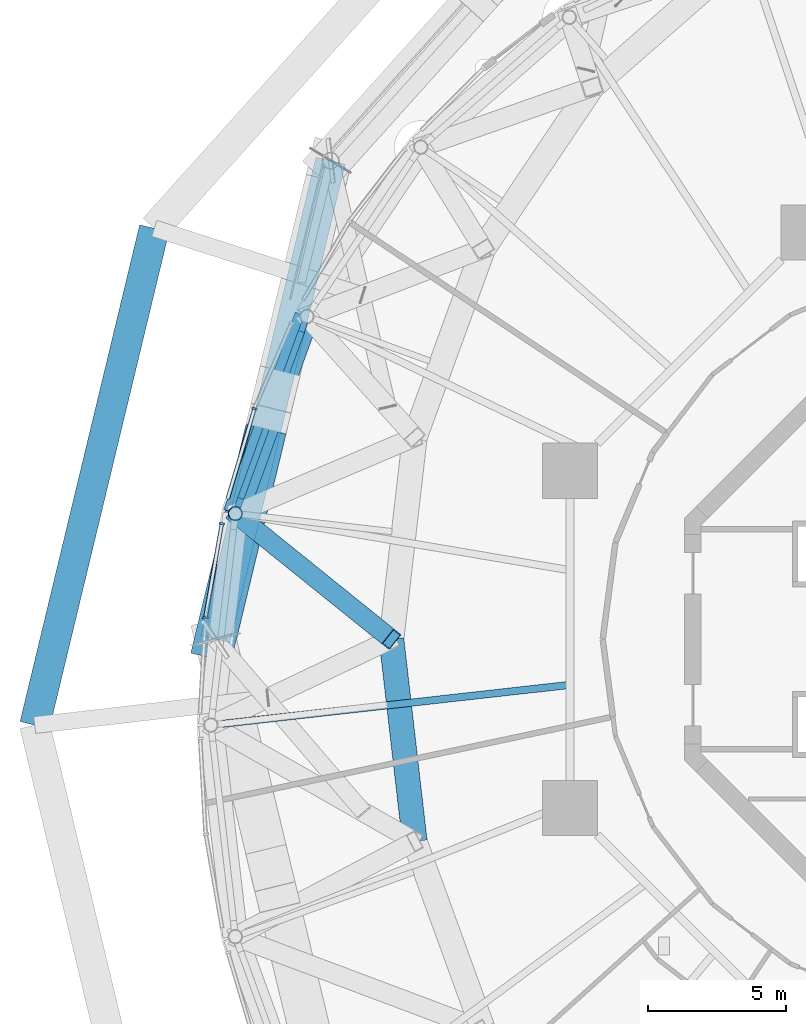
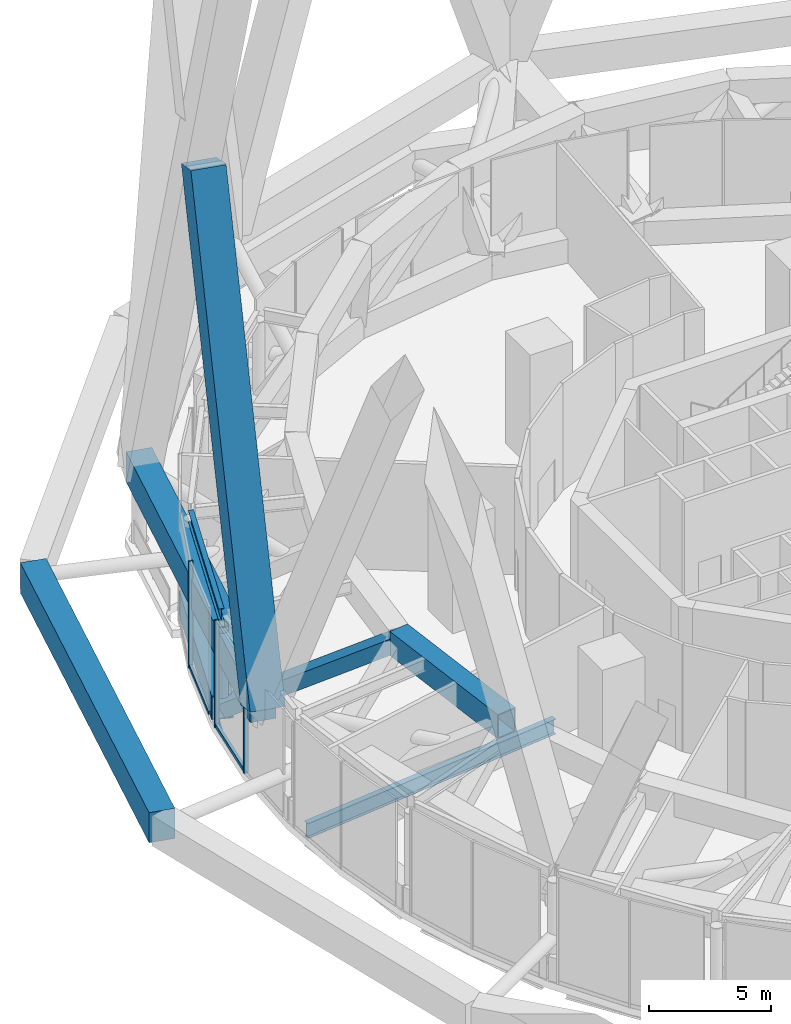
# One storey, part 25 of 49: 9 members, 6 beams, 3 elements without a shape of their own.
"""IFC4 building model written with IfcOpenShell, lengths in metres."""

import ifcopenshell
import ifcopenshell.guid

model = None  # the IFC model being written
_history = None  # IfcOwnerHistory: only IFC2X3 demands one
_inside = {}  # id of a spatial element -> (the spatial element, [elements in it])
_under = {}  # id of a project, library or spatial element -> (it, [spatial elements below it])
_declared = {}  # id of a project -> (the project, [libraries it declares])
_typed = {}  # id of a type object -> (the type object, [elements of that type])
_made_of = {}  # id of a material, layer set ... -> (it, [elements and type objects made of it])


def new_model(schema):
    """Start an empty IFC model of exactly this schema.

    Asked for "IFC4X3", IfcOpenShell would pick the latest addendum, in which some entities
    have other attributes; the version numbers below select the first issue.
    IFC2X3 requires an IfcOwnerHistory on every rooted entity: one is made here for all.
    """
    global model, _history
    if schema == "IFC4X3":
        model = ifcopenshell.file(schema_version=(4, 3, 0, 0))
    else:
        model = ifcopenshell.file(schema=schema)
    _inside.clear()
    _under.clear()
    _declared.clear()
    _typed.clear()
    _made_of.clear()
    _history = None
    if model.schema == "IFC2X3":
        org = make("IfcOrganization", Name="unknown")
        user = make(
            "IfcPersonAndOrganization",
            ThePerson=make("IfcPerson", FamilyName="unknown"),
            TheOrganization=org,
        )
        app = make(
            "IfcApplication",
            ApplicationDeveloper=org,
            Version="unknown",
            ApplicationFullName="unknown",
            ApplicationIdentifier="unknown",
        )
        _history = make(
            "IfcOwnerHistory",
            OwningUser=user,
            OwningApplication=app,
            ChangeAction="ADDED",
            CreationDate=0,
        )
    return model


def make(cls, **values):
    """One entity of the class cls with the attributes given. An attribute that is None is left unset."""
    return model.create_entity(
        cls, **{name: value for name, value in values.items() if value is not None}
    )


def rooted(cls, **values):
    """An entity with a GlobalId (a new one), such as an element, a storey or a relation."""
    return make(cls, GlobalId=ifcopenshell.guid.new(), OwnerHistory=_history, **values)


def si_unit(unit_type, name, prefix=None):
    """IfcSIUnit, for example si_unit("LENGTHUNIT", "METRE", prefix="MILLI")."""
    return make("IfcSIUnit", UnitType=unit_type, Prefix=prefix, Name=name)


def assignment(units):
    """IfcUnitAssignment: the units of a project."""
    return None if units is None else make("IfcUnitAssignment", Units=units)


def point(xyz):
    """IfcCartesianPoint."""
    return None if xyz is None else make("IfcCartesianPoint", Coordinates=xyz)


def direction(xyz):
    """IfcDirection."""
    return None if xyz is None else make("IfcDirection", DirectionRatios=xyz)


def frame(location, z_axis=None, x_axis=None):
    """IfcAxis2Placement3D, a coordinate frame: its origin and axes. An axis left out is left unset."""
    return make(
        "IfcAxis2Placement3D",
        Location=point(location),
        Axis=direction(z_axis),
        RefDirection=direction(x_axis),
    )


def frame_2d(location, x_axis=None):
    """IfcAxis2Placement2D, a coordinate frame in the plane: its origin and x axis."""
    return make(
        "IfcAxis2Placement2D", Location=point(location), RefDirection=direction(x_axis)
    )


def origin():
    """The frame at (0, 0, 0) with its axes left unset."""
    return frame((0.0, 0.0, 0.0))


def origin_2d():
    """The frame at (0, 0) in the plane with its x axis left unset."""
    return frame_2d((0.0, 0.0))


def place(relative_to, where):
    """IfcLocalPlacement: puts the frame where relative to a parent placement (None: the world)."""
    return make(
        "IfcLocalPlacement", PlacementRelTo=relative_to, RelativePlacement=where
    )


def context(
    kind, dimensions, precision=None, world=None, true_north=None, identifier=None
):
    """IfcGeometricRepresentationContext, for example the 3D "Model" context."""
    return make(
        "IfcGeometricRepresentationContext",
        ContextIdentifier=identifier,
        ContextType=kind,
        CoordinateSpaceDimension=dimensions,
        Precision=precision,
        WorldCoordinateSystem=world,
        TrueNorth=true_north,
    )


def subcontext(parent, identifier, kind, view, scale=None):
    """IfcGeometricRepresentationSubContext, for example "Body" below "Model"."""
    return make(
        "IfcGeometricRepresentationSubContext",
        ContextIdentifier=identifier,
        ContextType=kind,
        ParentContext=parent,
        TargetScale=scale,
        TargetView=view,
    )


def project(units=None, contexts=None):
    """IfcProject with its units and contexts."""
    return rooted(
        "IfcProject",
        Name="project",
        RepresentationContexts=contexts,
        UnitsInContext=assignment(units),
    )


def spatial(cls, under=None, at=None, **own):
    """A site, building, storey or space (cls), placed at a placement, below another one or the project."""
    s = rooted(cls, ObjectPlacement=at, **own)
    if under is not None:
        _under.setdefault(under.id(), (under, []))[1].append(s)
    return s


def profile(cls, at=None, kind="AREA", **sizes):
    """A parametric profile (cls). Its sizes go by their IFC names, for example OverallWidth=200.0."""
    return make(cls, ProfileType=kind, Position=at, **sizes)


def rectangle(**sizes):
    """IfcRectangleProfileDef."""
    return profile("IfcRectangleProfileDef", **sizes)


def hollow_rectangle(**sizes):
    """IfcRectangleHollowProfileDef."""
    return profile("IfcRectangleHollowProfileDef", **sizes)


def hollow_circle(**sizes):
    """IfcCircleHollowProfileDef."""
    return profile("IfcCircleHollowProfileDef", **sizes)


def i_section(**sizes):
    """IfcIShapeProfileDef."""
    return profile("IfcIShapeProfileDef", **sizes)


def extrude(swept, where, along, depth):
    """IfcExtrudedAreaSolid: the profile swept, set in the frame where, extruded along a direction by depth."""
    return make(
        "IfcExtrudedAreaSolid",
        SweptArea=swept,
        Position=where,
        ExtrudedDirection=direction(along),
        Depth=depth,
    )


def shape(context_of_items, identifier, shape_type, items):
    """IfcShapeRepresentation: the items that make up one representation, for example the "Body"."""
    return make(
        "IfcShapeRepresentation",
        ContextOfItems=context_of_items,
        RepresentationIdentifier=identifier,
        RepresentationType=shape_type,
        Items=items,
    )


def material(Name=None, Category=None):
    """IfcMaterial."""
    return make("IfcMaterial", Name=Name, Category=Category)


def layer(
    of_material, thickness, ventilated=None, Name=None, Category=None, Priority=None
):
    """IfcMaterialLayer: one layer of a wall or slab, of a material (None: an air gap)."""
    return make(
        "IfcMaterialLayer",
        Material=of_material,
        LayerThickness=thickness,
        IsVentilated=ventilated,
        Name=Name,
        Category=Category,
        Priority=Priority,
    )


def layer_set(layers, Name=None):
    """IfcMaterialLayerSet."""
    return make("IfcMaterialLayerSet", MaterialLayers=layers, LayerSetName=Name)


def material_profile(
    of_material, cross_section, Name=None, Category=None, Priority=None
):
    """IfcMaterialProfile: a cross section and its material."""
    return make(
        "IfcMaterialProfile",
        Name=Name,
        Material=of_material,
        Profile=cross_section,
        Priority=Priority,
        Category=Category,
    )


def profile_set(profiles, Name=None, composite=None):
    """IfcMaterialProfileSet."""
    return make(
        "IfcMaterialProfileSet",
        Name=Name,
        MaterialProfiles=profiles,
        CompositeProfile=composite,
    )


def made_of(thing, what):
    """Note that an element or type object is made of a material, layer set ...; save() writes the relation."""
    if what is not None:
        _made_of.setdefault(what.id(), (what, []))[1].append(thing)
    return thing


def type_object(cls, material=None, **own):
    """A type object (cls), such as IfcWallType, which elements share."""
    return made_of(rooted(cls, **own), material)


def element(
    cls,
    number,
    at=None,
    inside=None,
    cuts=None,
    type_object=None,
    material=None,
    context=None,
    identifier="Body",
    shape_type=None,
    held_by="IfcProductDefinitionShape",
    body=None,
    shapes=None,
    **own,
):
    """One element of the class cls, such as IfcWall. Its Tag is "e" and its number.

    at: its placement. inside: the storey or other place that contains it. cuts: it is an
    opening in that element (IfcRelVoidsElement). A single representation is given by context,
    identifier, shape_type and body (its items); several are given by shapes. held_by: the class
    of the entity that holds the representations. save() writes the other relations.
    """
    e = rooted(cls, Tag="e%d" % number, ObjectPlacement=at, **own)
    if body is not None:
        shapes = [shape(context, identifier, shape_type, body)]
    if shapes is not None:
        e.Representation = make(held_by, Representations=shapes)
    if inside is not None:
        _inside.setdefault(inside.id(), (inside, []))[1].append(e)
    if cuts is not None:
        rooted(
            "IfcRelVoidsElement", RelatingBuildingElement=cuts, RelatedOpeningElement=e
        )
    if type_object is not None:
        _typed.setdefault(type_object.id(), (type_object, []))[1].append(e)
    return made_of(e, material)


def aggregate(whole, parts):
    """IfcRelAggregates: a whole, such as a stair, and the parts it consists of."""
    return rooted("IfcRelAggregates", RelatingObject=whole, RelatedObjects=parts)


def save(model, path):
    """Write the relations noted so far, then the file.

    IfcRelAggregates (storeys below a building ...), IfcRelContainedInSpatialStructure (elements
    in a storey), IfcRelDefinesByType, IfcRelAssociatesMaterial and IfcRelDeclares: one each for
    every whole, place, type object, material and project.
    """
    for whole, parts in _under.values():
        aggregate(whole, parts)
    for where, things in _inside.values():
        rooted(
            "IfcRelContainedInSpatialStructure",
            RelatedElements=things,
            RelatingStructure=where,
        )
    for kind, things in _typed.values():
        rooted("IfcRelDefinesByType", RelatedObjects=things, RelatingType=kind)
    for what, things in _made_of.values():
        rooted("IfcRelAssociatesMaterial", RelatedObjects=things, RelatingMaterial=what)
    for by, libraries in _declared.values():
        rooted("IfcRelDeclares", RelatingContext=by, RelatedDefinitions=libraries)
    model.write(path)


model = new_model("IFC4")

# Units and contexts
model_context = context("Model", 3, precision=1e-05, world=origin(), true_north=direction((0.0, 1.0)))
body_context = subcontext(model_context, "Body", "Model", "MODEL_VIEW")
ifc_project = project(units=[si_unit("LENGTHUNIT", "METRE"), si_unit("AREAUNIT", "SQUARE_METRE"), si_unit("VOLUMEUNIT", "CUBIC_METRE"), si_unit("PLANEANGLEUNIT", "RADIAN"), si_unit("MASSUNIT", "GRAM", prefix="KILO")], contexts=[model_context])

# Site, building, storey
site_placement = place(None, origin())
site = spatial("IfcSite", under=ifc_project, at=site_placement, CompositionType="ELEMENT")
building_placement = place(site_placement, origin())
building = spatial("IfcBuilding", under=site, at=building_placement, Name="Nagisa Residences", CompositionType="ELEMENT")
storey_placement = place(building_placement, frame((0.0, 0.0, 160.300048828125)))
storey = spatial("IfcBuildingStorey", under=building, at=storey_placement, Name="L40", CompositionType="ELEMENT", Elevation=160.300048828125)

# Beams
ifc_material_1 = material(Name="Steel ASTM A572 Gr 50", Category="steel")
ifc_material_profile_1 = material_profile(ifc_material_1, hollow_rectangle(XDim=0.89990234375, YDim=1.199951171875, WallThickness=0.044921875, at=origin_2d()), Name="BX 900x1200x45")
ifc_profile_set_1 = profile_set([ifc_material_profile_1], Name="Steel ASTM A572 Gr 50")
beam_type_1 = type_object("IfcBeamType", Name="Belt chord 3 BX 900x1200x45", PredefinedType="BEAM", material=ifc_profile_set_1)
beam_1_placement = place(storey_placement, frame((-24.346923828125, 11.729736328125, 0.599853515625), z_axis=(-0.341367428201, -0.939929933008, 0.0), x_axis=(0.939929933008, -0.341367428201, 0.0)))
element("IfcBeam", 1, at=beam_1_placement, inside=storey, type_object=beam_type_1, Name="beam:L40:bt3b11", PredefinedType="BEAM", context=body_context, shape_type="SweptSolid", body=[
    extrude(hollow_rectangle(XDim=0.89990234375, YDim=1.199951171875, WallThickness=0.044921875, at=origin_2d()), origin(), (0.0, 0.0, 1.0), 7.61962890625),
])
beam_2_placement = place(storey_placement, frame((-21.27490234375, 0.0, 4.739990234375), z_axis=(0.114627868433, -0.993408501966, 0.0), x_axis=(0.993408501966, 0.114627868433, 0.0)))
element("IfcBeam", 2, at=beam_2_placement, inside=storey, type_object=beam_type_1, Name="beam:L40:bt3t13", PredefinedType="BEAM", context=body_context, shape_type="SweptSolid", body=[
    extrude(hollow_rectangle(XDim=0.89990234375, YDim=1.199951171875, WallThickness=0.044921875, at=origin_2d()), origin(), (0.0, 0.0, 1.0), 7.392822265625),
])
ifc_material_2 = material(Name="Steel ASTM A572 Gr 50", Category="steel")
ifc_material_profile_2 = material_profile(ifc_material_2, hollow_rectangle(XDim=0.699951171875, YDim=0.699951171875, WallThickness=0.0400390625, at=origin_2d()), Name="BX 700x700x40")
ifc_profile_set_2 = profile_set([ifc_material_profile_2], Name="Steel ASTM A572 Gr 50")
beam_type_2 = type_object("IfcBeamType", Name="Belt diagonal 3 BX 700x700x40", PredefinedType="BEAM", material=ifc_profile_set_2)
beam_3_placement = place(storey_placement, frame((-26.947998046875, 4.56787109375, 0.599853515625), z_axis=(0.677145335215, -0.545224823423, 0.494170099177), x_axis=(0.627152778856, 0.77889626522, 0.0)))
element("IfcBeam", 3, at=beam_3_placement, inside=storey, type_object=beam_type_2, Name="beam:L40:bt3db12", PredefinedType="BEAM", context=body_context, shape_type="SweptSolid", body=[
    extrude(hollow_rectangle(XDim=0.699951171875, YDim=0.699951171875, WallThickness=0.0400390625, at=origin_2d()), origin(), (0.0, 0.0, 1.0), 8.3779296875),
])

# Curtain wall, member
ifc_material_3 = material(Name="Aluminium curtain wall system", Category="aluminium")
ifc_layer = layer(ifc_material_3, 0.159912109375)
ifc_layer_set = layer_set([ifc_layer], Name="CW2 CURTAIN WALL")
curtain_wall_type = type_object("IfcCurtainWallType", Name="CW2 CURTAIN WALL", PredefinedType="NOTDEFINED", material=ifc_layer_set)
curtain_wall_1_placement = place(storey_placement, origin())
curtain_wall_1 = element("IfcCurtainWall", 4, at=curtain_wall_1_placement, inside=storey, type_object=curtain_wall_type, Name="cw:CW2:L40:21", PredefinedType="NOTDEFINED")
ifc_material_4 = material(Name="Aluminium", Category="aluminium")
ifc_material_profile_3 = material_profile(ifc_material_4, rectangle(XDim=0.199951171875, YDim=0.080078125, at=origin_2d()), Name="CW2 MULLION 200x80")
ifc_profile_set_3 = profile_set([ifc_material_profile_3], Name="Aluminium")
member_type_1 = type_object("IfcMemberType", Name="CW2 MULLION 200x80", PredefinedType="MULLION", material=ifc_profile_set_3)
member_1_placement = place(storey_placement, frame((-26.25, 8.376220703125, 0.0), z_axis=(0.0, 0.0, 1.0), x_axis=(0.958271310082, -0.285860274038, 0.0)))
member_1 = element("IfcMember", 5, at=member_1_placement, type_object=member_type_1, Name="CW2 mullion", PredefinedType="MULLION", context=body_context, shape_type="SweptSolid", body=[
    extrude(rectangle(XDim=0.199951171875, YDim=0.080078125, at=origin_2d()), origin(), (0.0, 0.0, 1.0), 5.33984375),
])

curtain_wall_2_placement = place(storey_placement, origin())
curtain_wall_2 = element("IfcCurtainWall", 6, at=curtain_wall_2_placement, inside=storey, type_object=curtain_wall_type, Name="cw:CW2:L40:22", PredefinedType="NOTDEFINED")
member_2_placement = place(storey_placement, frame((-27.4365234375, 4.200927734375, 0.0), z_axis=(0.0, 0.0, 1.0), x_axis=(0.985063604377, -0.172190868898, 0.0)))
member_2 = element("IfcMember", 7, at=member_2_placement, type_object=member_type_1, Name="CW2 mullion", PredefinedType="MULLION", context=body_context, shape_type="SweptSolid", body=[
    extrude(rectangle(XDim=0.199951171875, YDim=0.080078125, at=origin_2d()), origin(), (0.0, 0.0, 1.0), 5.33984375),
])

curtain_wall_3_placement = place(storey_placement, origin())
curtain_wall_3 = element("IfcCurtainWall", 8, at=curtain_wall_3_placement, inside=storey, type_object=curtain_wall_type, Name="cw:CW2:L40:23", PredefinedType="NOTDEFINED")
member_3_placement = place(storey_placement, frame((-28.030517578125, 0.779052734375, 0.0), z_axis=(0.0, 0.0, 1.0), x_axis=(0.998345305184, -0.057503492216, 0.0)))
member_3 = element("IfcMember", 9, at=member_3_placement, type_object=member_type_1, Name="CW2 mullion", PredefinedType="MULLION", context=body_context, shape_type="SweptSolid", body=[
    extrude(rectangle(XDim=0.199951171875, YDim=0.080078125, at=origin_2d()), origin(), (0.0, 0.0, 1.0), 5.33984375),
])
aggregate(curtain_wall_3, [member_3])

# Member
ifc_material_5 = material(Name="Aluminium", Category="aluminium")
ifc_material_profile_4 = material_profile(ifc_material_5, rectangle(XDim=0.139892578125, YDim=0.179931640625, at=origin_2d()), Name="CW2 TRANSOM 140x180")
ifc_profile_set_4 = profile_set([ifc_material_profile_4], Name="Aluminium")
member_type_2 = type_object("IfcMemberType", Name="CW2 TRANSOM 140x180", PredefinedType="USERDEFINED", material=ifc_profile_set_4)
member_4_placement = place(storey_placement, frame((-26.238525390625, 8.41455078125, 0.08984375), z_axis=(-0.285862077176, -0.95827077219, 0.0), x_axis=(0.95827077219, -0.285862077176, 0.0)))
member_4 = element("IfcMember", 10, at=member_4_placement, type_object=member_type_2, Name="CW2 transom", ObjectType="TRANSOM", PredefinedType="USERDEFINED", context=body_context, shape_type="SweptSolid", body=[
    extrude(rectangle(XDim=0.139892578125, YDim=0.179931640625, at=origin_2d()), origin(), (0.0, 0.0, 1.0), 3.452880859375),
])

aggregate(curtain_wall_1, [member_1, member_4])

member_5_placement = place(storey_placement, frame((-27.429443359375, 4.240234375, 0.08984375), z_axis=(-0.172249387138, -0.985053373493, 0.0), x_axis=(0.985053373493, -0.172249387138, 0.0)))
member_5 = element("IfcMember", 11, at=member_5_placement, type_object=member_type_2, Name="CW2 transom", ObjectType="TRANSOM", PredefinedType="USERDEFINED", context=body_context, shape_type="SweptSolid", body=[
    extrude(rectangle(XDim=0.139892578125, YDim=0.179931640625, at=origin_2d()), origin(), (0.0, 0.0, 1.0), 3.482421875),
])

aggregate(curtain_wall_2, [member_2, member_5])

# Members
ifc_material_6 = material(Name="Concrete C80", Category="concrete")
ifc_material_profile_5 = material_profile(ifc_material_6, rectangle(XDim=1.5, YDim=1.5, at=origin_2d()), Name="C80 1500x1500")
ifc_profile_set_5 = profile_set([ifc_material_profile_5], Name="Concrete C80")
member_type_3 = type_object("IfcMemberType", Name="Cage diagonal 4 C80 1500x1500", PredefinedType="BRACE", material=ifc_profile_set_5)
member_6_placement = place(storey_placement, frame((-27.675048828125, 0.0, 3.699951171875), z_axis=(0.087370904377, 0.362545040356, 0.92786174551), x_axis=(-0.972167751465, 0.234285857472, 0.0)))
element("IfcMember", 12, at=member_6_placement, inside=storey, type_object=member_type_3, Name="mem:L40:cg4d012a", PredefinedType="BRACE", context=body_context, shape_type="SweptSolid", body=[
    extrude(rectangle(XDim=1.5, YDim=1.5, at=origin_2d()), origin(), (0.0, 0.0, 1.0), 22.916015625),
])
ifc_material_7 = material(Name="Concrete C80", Category="concrete")
ifc_material_profile_6 = material_profile(ifc_material_7, rectangle(XDim=1.10009765625, YDim=1.5, at=origin_2d()), Name="C80 1100x1500")
ifc_profile_set_6 = profile_set([ifc_material_profile_6], Name="Concrete C80")
member_type_4 = type_object("IfcMemberType", Name="Cage ring 3 C80 1100x1500", PredefinedType="CHORD", material=ifc_profile_set_6)
member_7_placement = place(storey_placement, frame((-29.8896484375, 14.9296875, 1.89990234375), z_axis=(-0.234090672254, -0.972214769052, 0.0), x_axis=(0.972214769052, -0.234090672254, 0.0)))
element("IfcMember", 13, at=member_7_placement, inside=storey, type_object=member_type_4, Name="beam:L40:cg3r106", PredefinedType="CHORD", context=body_context, shape_type="SweptSolid", body=[
    extrude(rectangle(XDim=1.10009765625, YDim=1.5, at=origin_2d()), origin(), (0.0, 0.0, 1.0), 18.563232421875),
])
ifc_material_8 = material(Name="Concrete C80", Category="concrete")
ifc_material_profile_7 = material_profile(ifc_material_8, rectangle(XDim=1.10009765625, YDim=1.5, at=origin_2d()), Name="C80 1100x1500")
ifc_profile_set_7 = profile_set([ifc_material_profile_7], Name="Concrete C80")
member_type_5 = type_object("IfcMemberType", Name="Cage ring 4 C80 1100x1500", PredefinedType="CHORD", material=ifc_profile_set_7)
member_8_placement = place(storey_placement, frame((-23.48486328125, 17.387451171875, 3.699951171875), z_axis=(-0.234282017456, -0.972168676875, 0.0), x_axis=(0.972168676875, -0.234282017456, 0.0)))
element("IfcMember", 14, at=member_8_placement, inside=storey, type_object=member_type_5, Name="beam:L40:cg4r006", PredefinedType="CHORD", context=body_context, shape_type="SweptSolid", body=[
    extrude(rectangle(XDim=1.10009765625, YDim=1.5, at=origin_2d()), origin(), (0.0, 0.0, 1.0), 17.88525390625),
])

# Beam
ifc_material_9 = material(Name="Steel ASTM A572 Gr 50", Category="steel")
ifc_material_profile_8 = material_profile(ifc_material_9, i_section(OverallWidth=0.22802734375, OverallDepth=0.60302734375, WebThickness=0.010498046875, FlangeThickness=0.014892578125, at=origin_2d()), Name="W610x101")
ifc_profile_set_8 = profile_set([ifc_material_profile_8], Name="Steel ASTM A572 Gr 50")
beam_type_3 = type_object("IfcBeamType", Name="Garden edge beam W610x101", PredefinedType="BEAM", material=ifc_profile_set_8)
beam_4_placement = place(storey_placement, frame((-24.4267578125, 11.509765625, 5.038330078125), z_axis=(-0.341351063346, -0.939935876298, 0.0), x_axis=(0.939935876298, -0.341351063346, 0.0)))
element("IfcBeam", 15, at=beam_4_placement, inside=storey, type_object=beam_type_3, Name="beam:L40:bt3ge11", PredefinedType="BEAM", context=body_context, shape_type="SweptSolid", body=[
    extrude(i_section(OverallWidth=0.22802734375, OverallDepth=0.60302734375, WebThickness=0.010498046875, FlangeThickness=0.014892578125, at=origin_2d()), origin(), (0.0, 0.0, 1.0), 7.1513671875),
])

# Member
ifc_material_10 = material(Name="Steel ASTM A572 Gr 65", Category="steel")
ifc_material_profile_9 = material_profile(ifc_material_10, hollow_circle(Radius=0.25390625, WallThickness=0.02001953125, at=origin_2d()), Name="CHS 508x20")
ifc_profile_set_9 = profile_set([ifc_material_profile_9], Name="Steel ASTM A572 Gr 65")
member_type_6 = type_object("IfcMemberType", Name="Garden edge post CHS 508x20", PredefinedType="POST", material=ifc_profile_set_9)
member_9_placement = place(storey_placement, frame((-26.947998046875, 4.56787109375, 1.199951171875), z_axis=(0.0, 0.0, 1.0), x_axis=(1.0, 0.0, 0.0)))
element("IfcMember", 16, at=member_9_placement, inside=storey, type_object=member_type_6, Name="mem:L40:gp312", PredefinedType="POST", context=body_context, shape_type="SweptSolid", body=[
    extrude(hollow_circle(Radius=0.25390625, WallThickness=0.02001953125, at=origin_2d()), origin(), (0.0, 0.0, 1.0), 3.537109375),
])

# Beams
ifc_material_11 = material(Name="Steel ASTM A572 Gr 50", Category="steel")
ifc_material_profile_10 = material_profile(ifc_material_11, i_section(OverallWidth=0.22802734375, OverallDepth=0.60302734375, WebThickness=0.010498046875, FlangeThickness=0.014892578125, at=origin_2d()), Name="W610x101")
ifc_profile_set_10 = profile_set([ifc_material_profile_10], Name="Steel ASTM A572 Gr 50")
beam_type_4 = type_object("IfcBeamType", Name="Perimeter ring beam W610x101", PredefinedType="BEAM", material=ifc_profile_set_10)
beam_5_placement = place(storey_placement, frame((-24.54638671875, 11.180419921875, -0.651611328125), z_axis=(-0.341366238276, -0.939930365168, 0.0), x_axis=(0.939930365168, -0.341366238276, 0.0)))
element("IfcBeam", 17, at=beam_5_placement, inside=storey, type_object=beam_type_4, Name="beam:L40:pb11", PredefinedType="BEAM", context=body_context, shape_type="SweptSolid", body=[
    extrude(i_section(OverallWidth=0.22802734375, OverallDepth=0.60302734375, WebThickness=0.010498046875, FlangeThickness=0.014892578125, at=origin_2d()), origin(), (0.0, 0.0, 1.0), 6.450927734375),
])
ifc_material_12 = material(Name="Steel ASTM A572 Gr 50", Category="steel")
ifc_material_profile_11 = material_profile(ifc_material_12, i_section(OverallWidth=0.264892578125, OverallDepth=0.7529296875, WebThickness=0.01318359375, FlangeThickness=0.01708984375, at=origin_2d()), Name="W760x147")
ifc_profile_set_11 = profile_set([ifc_material_profile_11], Name="Steel ASTM A572 Gr 50")
beam_type_5 = type_object("IfcBeamType", Name="Radial beam W760x147", PredefinedType="BEAM", material=ifc_profile_set_11)
beam_6_placement = place(storey_placement, frame((-27.40478515625, -3.069580078125, -0.7265625), z_axis=(0.993786036055, 0.111307297791, 0.0), x_axis=(-0.111307297791, 0.993786036055, 0.0)))
element("IfcBeam", 18, at=beam_6_placement, inside=storey, type_object=beam_type_5, Name="beam:L40:rb13", PredefinedType="BEAM", context=body_context, shape_type="SweptSolid", body=[
    extrude(i_section(OverallWidth=0.264892578125, OverallDepth=0.7529296875, WebThickness=0.01318359375, FlangeThickness=0.01708984375, at=origin_2d()), origin(), (0.0, 0.0, 1.0), 12.57470703125),
])

save(model, "model.ifc")
